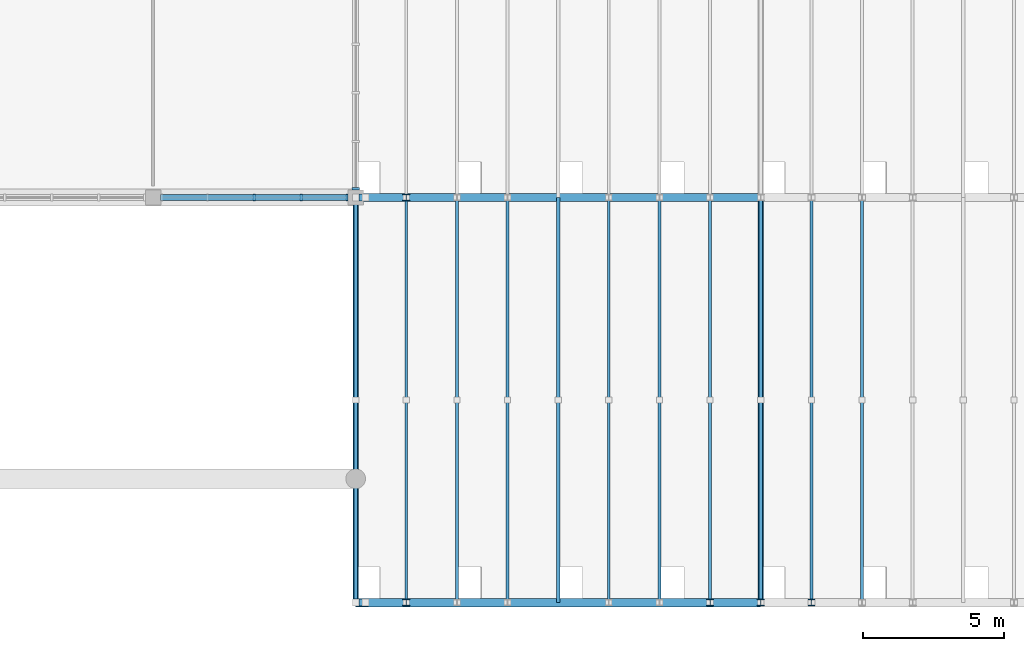
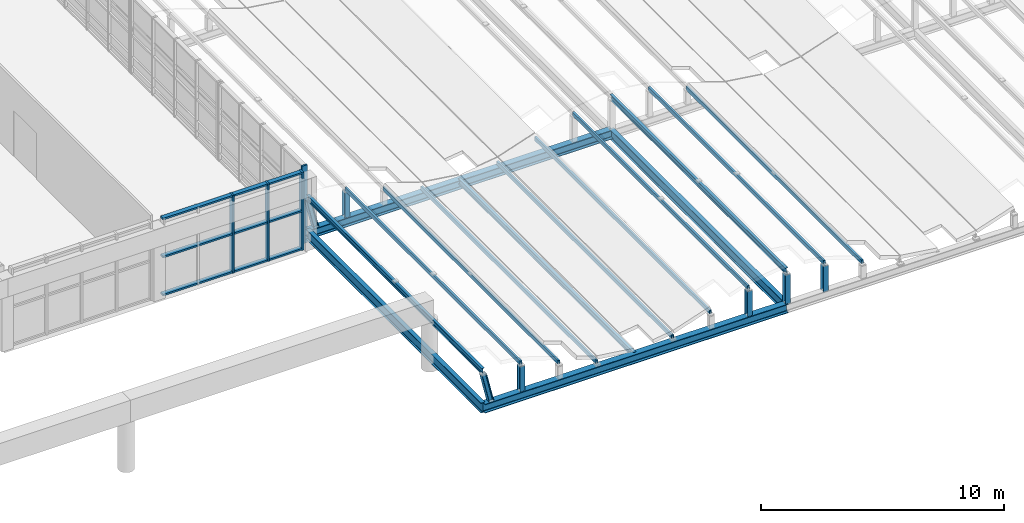
# One storey, part 13 of 83: 25 members, 4 beams, 2 elements without a shape of their own.
"""IFC4 building model written with IfcOpenShell, lengths in metres."""

import ifcopenshell
import ifcopenshell.guid

model = None  # the IFC model being written
_history = None  # IfcOwnerHistory: only IFC2X3 demands one
_inside = {}  # id of a spatial element -> (the spatial element, [elements in it])
_under = {}  # id of a project, library or spatial element -> (it, [spatial elements below it])
_declared = {}  # id of a project -> (the project, [libraries it declares])
_typed = {}  # id of a type object -> (the type object, [elements of that type])
_made_of = {}  # id of a material, layer set ... -> (it, [elements and type objects made of it])


def new_model(schema):
    """Start an empty IFC model of exactly this schema.

    Asked for "IFC4X3", IfcOpenShell would pick the latest addendum, in which some entities
    have other attributes; the version numbers below select the first issue.
    IFC2X3 requires an IfcOwnerHistory on every rooted entity: one is made here for all.
    """
    global model, _history
    if schema == "IFC4X3":
        model = ifcopenshell.file(schema_version=(4, 3, 0, 0))
    else:
        model = ifcopenshell.file(schema=schema)
    _inside.clear()
    _under.clear()
    _declared.clear()
    _typed.clear()
    _made_of.clear()
    _history = None
    if model.schema == "IFC2X3":
        org = make("IfcOrganization", Name="unknown")
        user = make(
            "IfcPersonAndOrganization",
            ThePerson=make("IfcPerson", FamilyName="unknown"),
            TheOrganization=org,
        )
        app = make(
            "IfcApplication",
            ApplicationDeveloper=org,
            Version="unknown",
            ApplicationFullName="unknown",
            ApplicationIdentifier="unknown",
        )
        _history = make(
            "IfcOwnerHistory",
            OwningUser=user,
            OwningApplication=app,
            ChangeAction="ADDED",
            CreationDate=0,
        )
    return model


def make(cls, **values):
    """One entity of the class cls with the attributes given. An attribute that is None is left unset."""
    return model.create_entity(
        cls, **{name: value for name, value in values.items() if value is not None}
    )


def rooted(cls, **values):
    """An entity with a GlobalId (a new one), such as an element, a storey or a relation."""
    return make(cls, GlobalId=ifcopenshell.guid.new(), OwnerHistory=_history, **values)


def si_unit(unit_type, name, prefix=None):
    """IfcSIUnit, for example si_unit("LENGTHUNIT", "METRE", prefix="MILLI")."""
    return make("IfcSIUnit", UnitType=unit_type, Prefix=prefix, Name=name)


def assignment(units):
    """IfcUnitAssignment: the units of a project."""
    return None if units is None else make("IfcUnitAssignment", Units=units)


def point(xyz):
    """IfcCartesianPoint."""
    return None if xyz is None else make("IfcCartesianPoint", Coordinates=xyz)


def direction(xyz):
    """IfcDirection."""
    return None if xyz is None else make("IfcDirection", DirectionRatios=xyz)


def frame(location, z_axis=None, x_axis=None):
    """IfcAxis2Placement3D, a coordinate frame: its origin and axes. An axis left out is left unset."""
    return make(
        "IfcAxis2Placement3D",
        Location=point(location),
        Axis=direction(z_axis),
        RefDirection=direction(x_axis),
    )


def frame_2d(location, x_axis=None):
    """IfcAxis2Placement2D, a coordinate frame in the plane: its origin and x axis."""
    return make(
        "IfcAxis2Placement2D", Location=point(location), RefDirection=direction(x_axis)
    )


def origin():
    """The frame at (0, 0, 0) with its axes left unset."""
    return frame((0.0, 0.0, 0.0))


def origin_2d():
    """The frame at (0, 0) in the plane with its x axis left unset."""
    return frame_2d((0.0, 0.0))


def place(relative_to, where):
    """IfcLocalPlacement: puts the frame where relative to a parent placement (None: the world)."""
    return make(
        "IfcLocalPlacement", PlacementRelTo=relative_to, RelativePlacement=where
    )


def context(
    kind, dimensions, precision=None, world=None, true_north=None, identifier=None
):
    """IfcGeometricRepresentationContext, for example the 3D "Model" context."""
    return make(
        "IfcGeometricRepresentationContext",
        ContextIdentifier=identifier,
        ContextType=kind,
        CoordinateSpaceDimension=dimensions,
        Precision=precision,
        WorldCoordinateSystem=world,
        TrueNorth=true_north,
    )


def subcontext(parent, identifier, kind, view, scale=None):
    """IfcGeometricRepresentationSubContext, for example "Body" below "Model"."""
    return make(
        "IfcGeometricRepresentationSubContext",
        ContextIdentifier=identifier,
        ContextType=kind,
        ParentContext=parent,
        TargetScale=scale,
        TargetView=view,
    )


def project(units=None, contexts=None):
    """IfcProject with its units and contexts."""
    return rooted(
        "IfcProject",
        Name="project",
        RepresentationContexts=contexts,
        UnitsInContext=assignment(units),
    )


def spatial(cls, under=None, at=None, **own):
    """A site, building, storey or space (cls), placed at a placement, below another one or the project."""
    s = rooted(cls, ObjectPlacement=at, **own)
    if under is not None:
        _under.setdefault(under.id(), (under, []))[1].append(s)
    return s


def profile(cls, at=None, kind="AREA", **sizes):
    """A parametric profile (cls). Its sizes go by their IFC names, for example OverallWidth=200.0."""
    return make(cls, ProfileType=kind, Position=at, **sizes)


def rectangle(**sizes):
    """IfcRectangleProfileDef."""
    return profile("IfcRectangleProfileDef", **sizes)


def hollow_rectangle(**sizes):
    """IfcRectangleHollowProfileDef."""
    return profile("IfcRectangleHollowProfileDef", **sizes)


def i_section(**sizes):
    """IfcIShapeProfileDef."""
    return profile("IfcIShapeProfileDef", **sizes)


def extrude(swept, where, along, depth):
    """IfcExtrudedAreaSolid: the profile swept, set in the frame where, extruded along a direction by depth."""
    return make(
        "IfcExtrudedAreaSolid",
        SweptArea=swept,
        Position=where,
        ExtrudedDirection=direction(along),
        Depth=depth,
    )


def shape(context_of_items, identifier, shape_type, items):
    """IfcShapeRepresentation: the items that make up one representation, for example the "Body"."""
    return make(
        "IfcShapeRepresentation",
        ContextOfItems=context_of_items,
        RepresentationIdentifier=identifier,
        RepresentationType=shape_type,
        Items=items,
    )


def material(Name=None, Category=None):
    """IfcMaterial."""
    return make("IfcMaterial", Name=Name, Category=Category)


def material_profile(
    of_material, cross_section, Name=None, Category=None, Priority=None
):
    """IfcMaterialProfile: a cross section and its material."""
    return make(
        "IfcMaterialProfile",
        Name=Name,
        Material=of_material,
        Profile=cross_section,
        Priority=Priority,
        Category=Category,
    )


def profile_set(profiles, Name=None, composite=None):
    """IfcMaterialProfileSet."""
    return make(
        "IfcMaterialProfileSet",
        Name=Name,
        MaterialProfiles=profiles,
        CompositeProfile=composite,
    )


def made_of(thing, what):
    """Note that an element or type object is made of a material, layer set ...; save() writes the relation."""
    if what is not None:
        _made_of.setdefault(what.id(), (what, []))[1].append(thing)
    return thing


def type_object(cls, material=None, **own):
    """A type object (cls), such as IfcWallType, which elements share."""
    return made_of(rooted(cls, **own), material)


def element(
    cls,
    number,
    at=None,
    inside=None,
    cuts=None,
    type_object=None,
    material=None,
    context=None,
    identifier="Body",
    shape_type=None,
    held_by="IfcProductDefinitionShape",
    body=None,
    shapes=None,
    **own,
):
    """One element of the class cls, such as IfcWall. Its Tag is "e" and its number.

    at: its placement. inside: the storey or other place that contains it. cuts: it is an
    opening in that element (IfcRelVoidsElement). A single representation is given by context,
    identifier, shape_type and body (its items); several are given by shapes. held_by: the class
    of the entity that holds the representations. save() writes the other relations.
    """
    e = rooted(cls, Tag="e%d" % number, ObjectPlacement=at, **own)
    if body is not None:
        shapes = [shape(context, identifier, shape_type, body)]
    if shapes is not None:
        e.Representation = make(held_by, Representations=shapes)
    if inside is not None:
        _inside.setdefault(inside.id(), (inside, []))[1].append(e)
    if cuts is not None:
        rooted(
            "IfcRelVoidsElement", RelatingBuildingElement=cuts, RelatedOpeningElement=e
        )
    if type_object is not None:
        _typed.setdefault(type_object.id(), (type_object, []))[1].append(e)
    return made_of(e, material)


def aggregate(whole, parts):
    """IfcRelAggregates: a whole, such as a stair, and the parts it consists of."""
    return rooted("IfcRelAggregates", RelatingObject=whole, RelatedObjects=parts)


def save(model, path):
    """Write the relations noted so far, then the file.

    IfcRelAggregates (storeys below a building ...), IfcRelContainedInSpatialStructure (elements
    in a storey), IfcRelDefinesByType, IfcRelAssociatesMaterial and IfcRelDeclares: one each for
    every whole, place, type object, material and project.
    """
    for whole, parts in _under.values():
        aggregate(whole, parts)
    for where, things in _inside.values():
        rooted(
            "IfcRelContainedInSpatialStructure",
            RelatedElements=things,
            RelatingStructure=where,
        )
    for kind, things in _typed.values():
        rooted("IfcRelDefinesByType", RelatedObjects=things, RelatingType=kind)
    for what, things in _made_of.values():
        rooted("IfcRelAssociatesMaterial", RelatedObjects=things, RelatingMaterial=what)
    for by, libraries in _declared.values():
        rooted("IfcRelDeclares", RelatingContext=by, RelatedDefinitions=libraries)
    model.write(path)


model = new_model("IFC4")

# Units and contexts
model_context = context("Model", 3, precision=1e-05, world=origin(), true_north=direction((0.0, 1.0)))
body_context = subcontext(model_context, "Body", "Model", "MODEL_VIEW")
ifc_project = project(units=[si_unit("LENGTHUNIT", "METRE"), si_unit("AREAUNIT", "SQUARE_METRE"), si_unit("VOLUMEUNIT", "CUBIC_METRE"), si_unit("PLANEANGLEUNIT", "RADIAN"), si_unit("MASSUNIT", "GRAM", prefix="KILO")], contexts=[model_context])

# Site, building, storey
site_placement = place(None, origin())
site = spatial("IfcSite", under=ifc_project, at=site_placement, CompositionType="ELEMENT")
building_placement = place(site_placement, origin())
building = spatial("IfcBuilding", under=site, at=building_placement, Name="Leyfeld Transit Interchange", CompositionType="ELEMENT")
storey_placement = place(building_placement, frame((0.0, 0.0, 5.39990234375)))
storey = spatial("IfcBuildingStorey", under=building, at=storey_placement, Name="L01", CompositionType="ELEMENT", Elevation=5.39990234375)

# Beams
ifc_material_1 = material(Name="Steel S355J2", Category="steel")
ifc_material_profile_1 = material_profile(ifc_material_1, i_section(OverallWidth=0.300048828125, OverallDepth=0.449951171875, WebThickness=0.013916015625, FlangeThickness=0.02587890625, FilletRadius=0.027099609375, at=origin_2d()), Name="HEB 450")
ifc_profile_set_1 = profile_set([ifc_material_profile_1], Name="Steel S355J2")
beam_type_1 = type_object("IfcBeamType", Name="BM-STL-HEB450", PredefinedType="JOIST", material=ifc_profile_set_1)
for number, where, z_axis, x_axis, name in (
    (1, (100.800048828125, 0.0, 0.675048828125), (1.0, 0.0, 0.0), (0.0, 1.0, 0.0), "Bus Canopy Longitudinal Girder R1 B1"),
    (2, (100.800048828125, 14.39990234375, 0.675048828125), (1.0, 0.0, 0.0), (0.0, 1.0, 0.0), "Bus Canopy Longitudinal Girder R2 B1"),
):
    element("IfcBeam", number, at=place(storey_placement, frame(where, z_axis=z_axis, x_axis=x_axis)), inside=storey, type_object=beam_type_1, Name=name, PredefinedType="JOIST", context=body_context, shape_type="SweptSolid", body=[
        extrude(i_section(OverallWidth=0.300048828125, OverallDepth=0.449951171875, WebThickness=0.013916015625, FlangeThickness=0.02587890625, FilletRadius=0.027099609375, at=origin_2d()), origin(), (0.0, 0.0, 1.0), 14.39990234375),
    ])
ifc_material_profile_2 = material_profile(ifc_material_1, i_section(OverallWidth=0.199951171875, OverallDepth=0.5, WebThickness=0.01025390625, FlangeThickness=0.01611328125, FilletRadius=0.02099609375, at=origin_2d()), Name="IPE 500")
ifc_profile_set_2 = profile_set([ifc_material_profile_2], Name="Steel S355J2")
beam_type_2 = type_object("IfcBeamType", Name="BM-STL-IPE500", PredefinedType="BEAM", material=ifc_profile_set_2)
for number, where, z_axis, x_axis, name in (
    (3, (100.800048828125, 0.0, 0.650146484375), (0.0, 1.0, 0.0), (-1.0, 0.0, 0.0), "Bus Canopy Transverse Portal Girder B1 R1"),
    (4, (115.199951171875, 0.0, 0.650146484375), (0.0, 1.0, 0.0), (-1.0, 0.0, 0.0), "Bus Canopy Transverse Portal Girder B2 R1"),
):
    element("IfcBeam", number, at=place(storey_placement, frame(where, z_axis=z_axis, x_axis=x_axis)), inside=storey, type_object=beam_type_2, Name=name, PredefinedType="BEAM", context=body_context, shape_type="SweptSolid", body=[
        extrude(i_section(OverallWidth=0.199951171875, OverallDepth=0.5, WebThickness=0.01025390625, FlangeThickness=0.01611328125, FilletRadius=0.02099609375, at=origin_2d()), origin(), (0.0, 0.0, 1.0), 14.39990234375),
    ])

# Curtain wall, member
ifc_material_2 = material(Name="Anodised aluminium EN AW-6060 T66", Category="aluminium")
curtain_wall_type = type_object("IfcCurtainWallType", Name="CW-SYS-ARC-7200", PredefinedType="NOTDEFINED", material=ifc_material_2)
curtain_wall_1_placement = place(storey_placement, origin())
curtain_wall_1 = element("IfcCurtainWall", 5, at=curtain_wall_1_placement, inside=storey, type_object=curtain_wall_type, Name="Curtain Wall CW-L01-085", PredefinedType="NOTDEFINED")
ifc_material_profile_3 = material_profile(ifc_material_2, rectangle(XDim=0.0849609375, YDim=0.260009765625, at=origin_2d()), Name="CW-M 85x260")
ifc_profile_set_3 = profile_set([ifc_material_profile_3], Name="Anodised aluminium EN AW-6060 T66")
member_type_1 = type_object("IfcMemberType", Name="CW-MUL-220x80", PredefinedType="MULLION", material=ifc_profile_set_3)
member_1_placement = place(storey_placement, frame((100.800048828125, 14.70751953125, 0.0), z_axis=(0.0, 0.0, 1.0), x_axis=(0.0, -1.0, 0.0)))
member_1 = element("IfcMember", 6, at=member_1_placement, type_object=member_type_1, Name="Curtain Mullion CW-L01-085-M05", PredefinedType="MULLION", context=body_context, shape_type="SweptSolid", body=[
    extrude(rectangle(XDim=0.0849609375, YDim=0.260009765625, at=origin_2d()), origin(), (0.0, 0.0, 1.0), 3.900146484375),
])
aggregate(curtain_wall_1, [member_1])

# Curtain wall, members
curtain_wall_2_placement = place(storey_placement, origin())
curtain_wall_2 = element("IfcCurtainWall", 7, at=curtain_wall_2_placement, inside=storey, type_object=curtain_wall_type, Name="Curtain Wall CW-L01-086", PredefinedType="NOTDEFINED")
member_2_placement = place(storey_placement, frame((100.492431640625, 14.39990234375, 0.0), z_axis=(0.0, 0.0, 1.0), x_axis=(-1.0, 0.0, 0.0)))
member_2 = element("IfcMember", 8, at=member_2_placement, type_object=member_type_1, Name="Curtain Mullion CW-L01-086-M01", PredefinedType="MULLION", context=body_context, shape_type="SweptSolid", body=[
    extrude(rectangle(XDim=0.0849609375, YDim=0.260009765625, at=origin_2d()), origin(), (0.0, 0.0, 1.0), 3.900146484375),
])
member_3_placement = place(storey_placement, frame((98.867431640625, 14.39990234375, 0.0), z_axis=(0.0, 0.0, 1.0), x_axis=(-1.0, 0.0, 0.0)))
member_3 = element("IfcMember", 9, at=member_3_placement, type_object=member_type_1, Name="Curtain Mullion CW-L01-086-M02", PredefinedType="MULLION", context=body_context, shape_type="SweptSolid", body=[
    extrude(rectangle(XDim=0.0849609375, YDim=0.260009765625, at=origin_2d()), origin(), (0.0, 0.0, 1.0), 3.900146484375),
])
member_4_placement = place(storey_placement, frame((97.199951171875, 14.39990234375, 0.0), z_axis=(0.0, 0.0, 1.0), x_axis=(-1.0, 0.0, 0.0)))
member_4 = element("IfcMember", 10, at=member_4_placement, type_object=member_type_1, Name="Curtain Mullion CW-L01-086-M03", PredefinedType="MULLION", context=body_context, shape_type="SweptSolid", body=[
    extrude(rectangle(XDim=0.0849609375, YDim=0.260009765625, at=origin_2d()), origin(), (0.0, 0.0, 1.0), 3.900146484375),
])
ifc_material_profile_4 = material_profile(ifc_material_2, rectangle(XDim=0.2099609375, YDim=0.0849609375, at=origin_2d()), Name="CW-TRN-200x80")
ifc_profile_set_4 = profile_set([ifc_material_profile_4], Name="Anodised aluminium EN AW-6060 T66")
member_type_2 = type_object("IfcMemberType", Name="CW-TRN-200x80", PredefinedType="USERDEFINED", material=ifc_profile_set_4)
member_5_placement = place(storey_placement, frame((100.534912109375, 14.39990234375, 0.04248046875), z_axis=(-1.0, 0.0, 0.0), x_axis=(0.0, -1.0, 0.0)))
member_5 = element("IfcMember", 11, at=member_5_placement, type_object=member_type_2, Name="Curtain Transom CW-L01-086-T01", ObjectType="TRANSOM", PredefinedType="USERDEFINED", context=body_context, shape_type="SweptSolid", body=[
    extrude(rectangle(XDim=0.2099609375, YDim=0.0849609375, at=origin_2d()), origin(), (0.0, 0.0, 1.0), 6.669921875),
])
member_6_placement = place(storey_placement, frame((100.534912109375, 14.39990234375, 1.9501953125), z_axis=(-1.0, 0.0, 0.0), x_axis=(0.0, -1.0, 0.0)))
member_6 = element("IfcMember", 12, at=member_6_placement, type_object=member_type_2, Name="Curtain Transom CW-L01-086-T02", ObjectType="TRANSOM", PredefinedType="USERDEFINED", context=body_context, shape_type="SweptSolid", body=[
    extrude(rectangle(XDim=0.2099609375, YDim=0.0849609375, at=origin_2d()), origin(), (0.0, 0.0, 1.0), 6.669921875),
])
member_7_placement = place(storey_placement, frame((100.534912109375, 14.39990234375, 3.857666015625), z_axis=(-1.0, 0.0, 0.0), x_axis=(0.0, -1.0, 0.0)))
member_7 = element("IfcMember", 13, at=member_7_placement, type_object=member_type_2, Name="Curtain Transom CW-L01-086-T03", ObjectType="TRANSOM", PredefinedType="USERDEFINED", context=body_context, shape_type="SweptSolid", body=[
    extrude(rectangle(XDim=0.2099609375, YDim=0.0849609375, at=origin_2d()), origin(), (0.0, 0.0, 1.0), 6.669921875),
])
aggregate(curtain_wall_2, [member_2, member_3, member_4, member_5, member_6, member_7])

# Members
ifc_material_profile_5 = material_profile(ifc_material_1, i_section(OverallWidth=0.239990234375, OverallDepth=0.22998046875, WebThickness=0.007568359375, FlangeThickness=0.011962890625, FilletRadius=0.02099609375, at=origin_2d()), Name="HEA 240")
ifc_profile_set_5 = profile_set([ifc_material_profile_5], Name="Steel S355J2")
member_type_3 = type_object("IfcMemberType", Name="MEM-CHD-HEA240", PredefinedType="CHORD", material=ifc_profile_set_5)
member_8_placement = place(storey_placement, frame((101.14990234375, 0.0, 0.860107421875), z_axis=(-0.228870190503, 0.0, 0.973456951231), x_axis=(0.0, -1.0, 0.0)))
element("IfcMember", 14, at=member_8_placement, inside=storey, type_object=member_type_3, Name="Wave Canopy Riser Post 002", PredefinedType="CHORD", context=body_context, shape_type="SweptSolid", body=[
    extrude(i_section(OverallWidth=0.239990234375, OverallDepth=0.22998046875, WebThickness=0.007568359375, FlangeThickness=0.011962890625, FilletRadius=0.02099609375, at=origin_2d()), origin(), (0.0, 0.0, 1.0), 1.528564453125),
])
member_9_placement = place(storey_placement, frame((101.14990234375, 14.39990234375, 0.860107421875), z_axis=(-0.226684503859, 0.0, 0.973968241633), x_axis=(0.0, -1.0, 0.0)))
element("IfcMember", 15, at=member_9_placement, inside=storey, type_object=member_type_3, Name="Wave Canopy Riser Post 004", PredefinedType="CHORD", context=body_context, shape_type="SweptSolid", body=[
    extrude(i_section(OverallWidth=0.239990234375, OverallDepth=0.22998046875, WebThickness=0.007568359375, FlangeThickness=0.011962890625, FilletRadius=0.02099609375, at=origin_2d()), origin(), (0.0, 0.0, 1.0), 1.54345703125),
])
member_10_placement = place(storey_placement, frame((102.60009765625, 0.0, 0.860107421875), z_axis=(0.0, 0.0, 1.0), x_axis=(1.0, 0.0, 0.0)))
element("IfcMember", 16, at=member_10_placement, inside=storey, type_object=member_type_3, Name="Wave Canopy Riser Post 009", PredefinedType="CHORD", context=body_context, shape_type="SweptSolid", body=[
    extrude(i_section(OverallWidth=0.239990234375, OverallDepth=0.22998046875, WebThickness=0.007568359375, FlangeThickness=0.011962890625, FilletRadius=0.02099609375, at=origin_2d()), origin(), (0.0, 0.0, 1.0), 1.2998046875),
])
member_11_placement = place(storey_placement, frame((102.60009765625, 14.39990234375, 0.860107421875), z_axis=(0.0, 0.0, 1.0), x_axis=(1.0, 0.0, 0.0)))
element("IfcMember", 17, at=member_11_placement, inside=storey, type_object=member_type_3, Name="Wave Canopy Riser Post 011", PredefinedType="CHORD", context=body_context, shape_type="SweptSolid", body=[
    extrude(i_section(OverallWidth=0.239990234375, OverallDepth=0.22998046875, WebThickness=0.007568359375, FlangeThickness=0.011962890625, FilletRadius=0.02099609375, at=origin_2d()), origin(), (0.0, 0.0, 1.0), 1.3154296875),
])
member_12_placement = place(storey_placement, frame((113.39990234375, 0.0, 0.860107421875), z_axis=(0.0, 0.0, 1.0), x_axis=(1.0, 0.0, 0.0)))
element("IfcMember", 18, at=member_12_placement, inside=storey, type_object=member_type_3, Name="Wave Canopy Riser Post 047", PredefinedType="CHORD", context=body_context, shape_type="SweptSolid", body=[
    extrude(i_section(OverallWidth=0.239990234375, OverallDepth=0.22998046875, WebThickness=0.007568359375, FlangeThickness=0.011962890625, FilletRadius=0.02099609375, at=origin_2d()), origin(), (0.0, 0.0, 1.0), 1.2998046875),
])
member_13_placement = place(storey_placement, frame((115.199951171875, 0.0, 0.860107421875), z_axis=(0.0, 0.0, 1.0), x_axis=(1.0, 0.0, 0.0)))
element("IfcMember", 19, at=member_13_placement, inside=storey, type_object=member_type_3, Name="Wave Canopy Riser Post 054", PredefinedType="CHORD", context=body_context, shape_type="SweptSolid", body=[
    extrude(i_section(OverallWidth=0.239990234375, OverallDepth=0.22998046875, WebThickness=0.007568359375, FlangeThickness=0.011962890625, FilletRadius=0.02099609375, at=origin_2d()), origin(), (0.0, 0.0, 1.0), 1.488037109375),
])
member_14_placement = place(storey_placement, frame((117.0, 0.0, 0.860107421875), z_axis=(0.0, 0.0, 1.0), x_axis=(1.0, 0.0, 0.0)))
element("IfcMember", 20, at=member_14_placement, inside=storey, type_object=member_type_3, Name="Wave Canopy Riser Post 061", PredefinedType="CHORD", context=body_context, shape_type="SweptSolid", body=[
    extrude(i_section(OverallWidth=0.239990234375, OverallDepth=0.22998046875, WebThickness=0.007568359375, FlangeThickness=0.011962890625, FilletRadius=0.02099609375, at=origin_2d()), origin(), (0.0, 0.0, 1.0), 1.2998046875),
])
ifc_material_profile_6 = material_profile(ifc_material_1, i_section(OverallWidth=0.135009765625, OverallDepth=0.27001953125, WebThickness=0.006591796875, FlangeThickness=0.01025390625, FilletRadius=0.014892578125, at=origin_2d()), Name="IPE 270")
ifc_profile_set_6 = profile_set([ifc_material_profile_6], Name="Steel S355J2")
member_type_4 = type_object("IfcMemberType", Name="MEM-PUR-IPE270", PredefinedType="PURLIN", material=ifc_profile_set_6)
for number, where, z_axis, x_axis, name in (
    (21, (100.800048828125, 0.0, 2.483154296875), (0.0, 1.0, 0.0), (-1.0, 0.0, 0.0), "Bus Canopy Purlin 001"),
    (22, (108.0, 0.0, 0.777587890625), (0.0, 1.0, 0.0), (-1.0, 0.0, 0.0), "Bus Canopy Purlin 029"),
    (23, (115.199951171875, 0.0, 2.483154296875), (0.0, 1.0, 0.0), (-1.0, 0.0, 0.0), "Bus Canopy Purlin 053"),
):
    element("IfcMember", number, at=place(storey_placement, frame(where, z_axis=z_axis, x_axis=x_axis)), inside=storey, type_object=member_type_4, Name=name, PredefinedType="PURLIN", context=body_context, shape_type="SweptSolid", body=[
        extrude(i_section(OverallWidth=0.135009765625, OverallDepth=0.27001953125, WebThickness=0.006591796875, FlangeThickness=0.01025390625, FilletRadius=0.014892578125, at=origin_2d()), origin(), (0.0, 0.0, 1.0), 14.39990234375),
    ])
ifc_material_profile_7 = material_profile(ifc_material_1, hollow_rectangle(XDim=0.10009765625, YDim=0.199951171875, WallThickness=0.008056640625, at=origin_2d()), Name="RHS 200x100x8")
ifc_profile_set_7 = profile_set([ifc_material_profile_7], Name="Steel S355J2")
member_type_5 = type_object("IfcMemberType", Name="MEM-PUR-RHS200", PredefinedType="PURLIN", material=ifc_profile_set_7)
for number, where, z_axis, x_axis, name in (
    (24, (102.60009765625, 0.0, 2.259765625), (0.0, 1.0, 0.0), (-1.0, 0.0, 0.0), "Bus Canopy Purlin 008"),
    (25, (104.39990234375, 0.0, 1.656494140625), (0.0, 1.0, 0.0), (-1.0, 0.0, 0.0), "Bus Canopy Purlin 015"),
    (26, (106.199951171875, 0.0, 1.0546875), (0.0, 1.0, 0.0), (-1.0, 0.0, 0.0), "Bus Canopy Purlin 022"),
    (27, (109.800048828125, 0.0, 1.0546875), (0.0, 1.0, 0.0), (-1.0, 0.0, 0.0), "Bus Canopy Purlin 032"),
    (28, (111.60009765625, 0.0, 1.656494140625), (0.0, 1.0, 0.0), (-1.0, 0.0, 0.0), "Bus Canopy Purlin 039"),
    (29, (113.39990234375, 0.0, 2.259765625), (0.0, 1.0, 0.0), (-1.0, 0.0, 0.0), "Bus Canopy Purlin 046"),
    (30, (117.0, 0.0, 2.259765625), (0.0, 1.0, 0.0), (-1.0, 0.0, 0.0), "Bus Canopy Purlin 060"),
    (31, (118.800048828125, 0.0, 1.656494140625), (0.0, 1.0, 0.0), (-1.0, 0.0, 0.0), "Bus Canopy Purlin 067"),
):
    element("IfcMember", number, at=place(storey_placement, frame(where, z_axis=z_axis, x_axis=x_axis)), inside=storey, type_object=member_type_5, Name=name, PredefinedType="PURLIN", context=body_context, shape_type="SweptSolid", body=[
        extrude(hollow_rectangle(XDim=0.10009765625, YDim=0.199951171875, WallThickness=0.008056640625, at=origin_2d()), origin(), (0.0, 0.0, 1.0), 14.39990234375),
    ])

save(model, "model.ifc")
